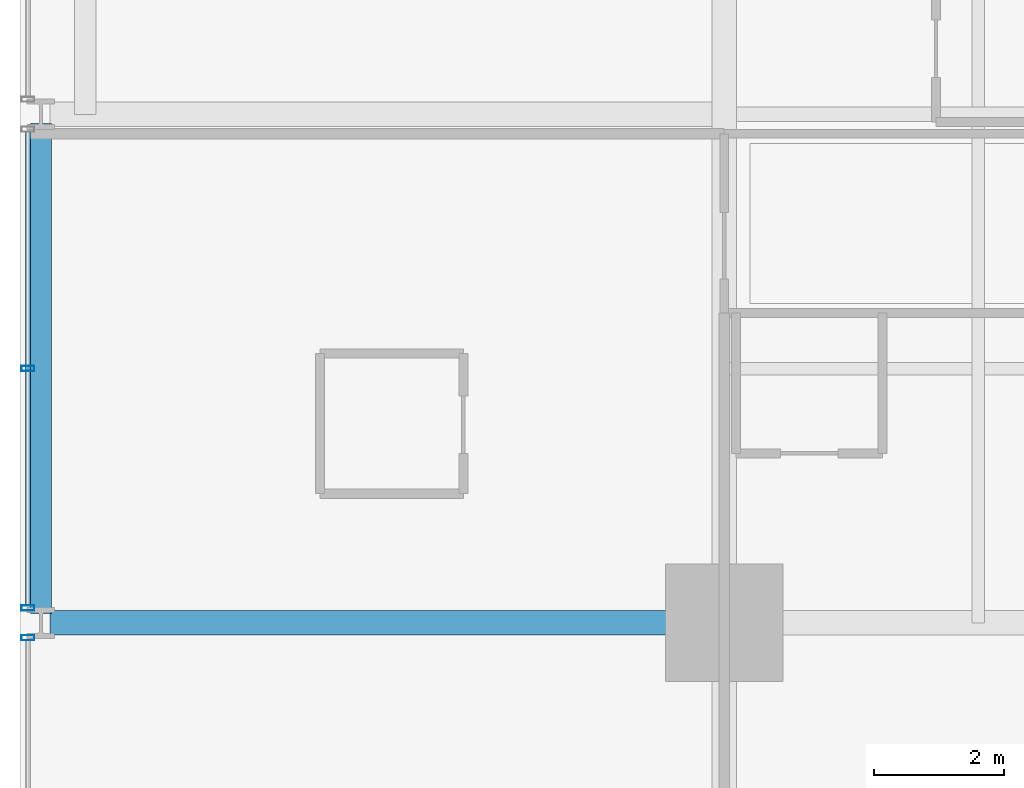
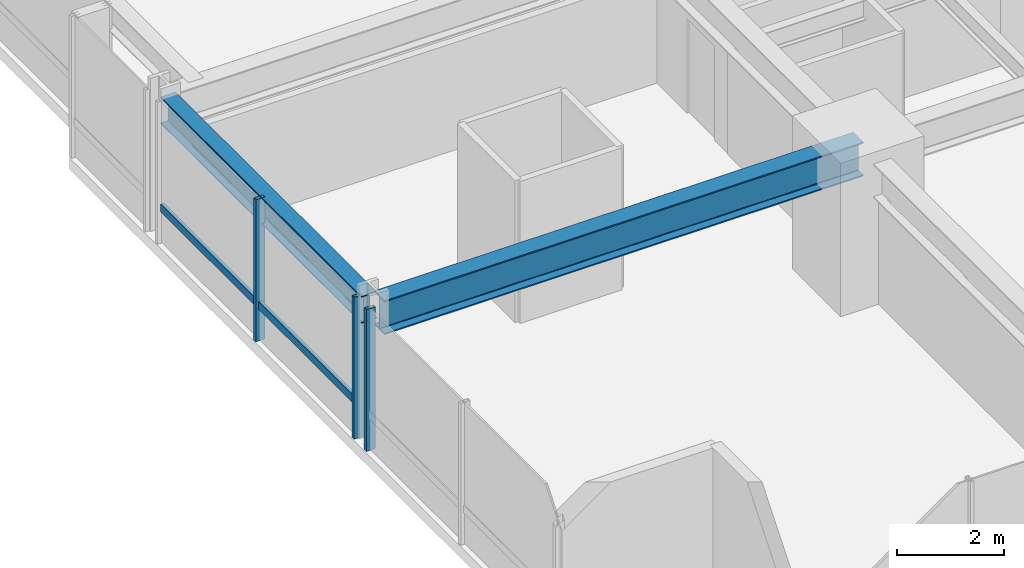
# One storey, part 4 of 38: 4 members, 2 beams, 2 elements without a shape of their own.
"""IFC4 building model written with IfcOpenShell, lengths in metres."""

from ifc_helpers import new_model, si_unit, direction, frame, origin, origin_2d, place, context, subcontext, project, spatial, hollow_rectangle, i_section, extrude, material, layer, layer_set, material_profile, profile_set, type_object, element, aggregate, save


model = new_model("IFC4")

# Units and contexts
model_context = context("Model", 3, precision=1e-05, world=origin(), true_north=direction((0.0, 1.0)))
body_context = subcontext(model_context, "Body", "Model", "MODEL_VIEW")
ifc_project = project(units=[si_unit("LENGTHUNIT", "METRE"), si_unit("AREAUNIT", "SQUARE_METRE"), si_unit("VOLUMEUNIT", "CUBIC_METRE"), si_unit("PLANEANGLEUNIT", "RADIAN"), si_unit("MASSUNIT", "GRAM", prefix="KILO")], contexts=[model_context])

# Site, building, storey
site_placement = place(None, origin())
site = spatial("IfcSite", under=ifc_project, at=site_placement, CompositionType="ELEMENT")
building_placement = place(site_placement, origin())
building = spatial("IfcBuilding", under=site, at=building_placement, Name="Drelvath Grand Hotel", CompositionType="ELEMENT")
storey_placement = place(building_placement, frame((0.0, 0.0, 71.699951171875)))
storey = spatial("IfcBuildingStorey", under=building, at=storey_placement, Name="L17", CompositionType="ELEMENT", Elevation=71.699951171875)

# Curtain wall, member
ifc_material_1 = material(Name="Warm Bronze Anodised Aluminium Frame", Category="aluminium")
ifc_layer = layer(ifc_material_1, 0.199951171875)
ifc_layer_set = layer_set([ifc_layer], Name="Warm Bronze Anodised Aluminium Frame")
curtain_wall_type = type_object("IfcCurtainWallType", Name="Stick Curtain Wall CW-02 Warm Bronze Low-Rise", PredefinedType="NOTDEFINED", material=ifc_layer_set)
curtain_wall_1_placement = place(storey_placement, origin())
curtain_wall_1 = element("IfcCurtainWall", 1, at=curtain_wall_1_placement, inside=storey, type_object=curtain_wall_type, Name="L17 CW-02 Curtain Wall CW02-L17-WS2", PredefinedType="NOTDEFINED")
ifc_material_profile_1 = material_profile(ifc_material_1, hollow_rectangle(XDim=0.074951171875, YDim=0.179931640625, WallThickness=0.0048828125, at=origin_2d()), Name="HSS180X75X5")
ifc_profile_set_1 = profile_set([ifc_material_profile_1], Name="Warm Bronze Anodised Aluminium Frame")
member_type_1 = type_object("IfcMemberType", Name="Curtain Wall Horizontal Transom CW-02 HSS180X75X5", PredefinedType="USERDEFINED", material=ifc_profile_set_1)
member_1_placement = place(storey_placement, frame((-26.8798828125, 11.069091796875, 0.81005859375), z_axis=(0.0, 1.0, 0.0), x_axis=(-1.0, 0.0, 0.0)))
member_1 = element("IfcMember", 2, at=member_1_placement, type_object=member_type_1, Name="CW02-L17-WS2 Sill Transom", ObjectType="TRANSOM", PredefinedType="USERDEFINED", context=body_context, shape_type="SweptSolid", body=[
    extrude(hollow_rectangle(XDim=0.074951171875, YDim=0.179931640625, WallThickness=0.0048828125, at=origin_2d()), origin(), (0.0, 0.0, 1.0), 7.26171875),
])

curtain_wall_2_placement = place(storey_placement, origin())
curtain_wall_2 = element("IfcCurtainWall", 3, at=curtain_wall_2_placement, inside=storey, type_object=curtain_wall_type, Name="L17 CW-02 Curtain Wall CW02-L17-WS1", PredefinedType="NOTDEFINED")
ifc_material_profile_2 = material_profile(ifc_material_1, hollow_rectangle(XDim=0.080078125, YDim=0.199951171875, WallThickness=0.0048828125, at=origin_2d()), Name="HSS200X80X5")
ifc_profile_set_2 = profile_set([ifc_material_profile_2], Name="Warm Bronze Anodised Aluminium Frame")
member_type_2 = type_object("IfcMemberType", Name="Curtain Wall Vertical Mullion CW-02 HSS200X80X5", PredefinedType="MULLION", material=ifc_profile_set_2)
member_2_placement = place(storey_placement, frame((-26.8798828125, 10.57080078125, 0.0), z_axis=(0.0, 0.0, 1.0), x_axis=(0.0, 1.0, 0.0)))
member_2 = element("IfcMember", 4, at=member_2_placement, type_object=member_type_2, Name="CW02-L17-WS1 Mullion 3", PredefinedType="MULLION", context=body_context, shape_type="SweptSolid", body=[
    extrude(hollow_rectangle(XDim=0.080078125, YDim=0.199951171875, WallThickness=0.0048828125, at=origin_2d()), origin(), (0.0, 0.0, 1.0), 3.239990234375),
])
aggregate(curtain_wall_2, [member_2])

# Member
member_3_placement = place(storey_placement, frame((-26.8798828125, 11.029052734375, 0.0), z_axis=(0.0, 0.0, 1.0), x_axis=(0.0, 1.0, 0.0)))
member_3 = element("IfcMember", 5, at=member_3_placement, type_object=member_type_2, Name="CW02-L17-WS2 Mullion 1", PredefinedType="MULLION", context=body_context, shape_type="SweptSolid", body=[
    extrude(hollow_rectangle(XDim=0.080078125, YDim=0.199951171875, WallThickness=0.0048828125, at=origin_2d()), origin(), (0.0, 0.0, 1.0), 3.239990234375),
])

member_4_placement = place(storey_placement, frame((-26.8798828125, 14.699951171875, 0.0), z_axis=(0.0, 0.0, 1.0), x_axis=(0.0, 1.0, 0.0)))
member_4 = element("IfcMember", 6, at=member_4_placement, type_object=member_type_2, Name="CW02-L17-WS2 Mullion 2", PredefinedType="MULLION", context=body_context, shape_type="SweptSolid", body=[
    extrude(hollow_rectangle(XDim=0.080078125, YDim=0.199951171875, WallThickness=0.0048828125, at=origin_2d()), origin(), (0.0, 0.0, 1.0), 3.239990234375),
])

aggregate(curtain_wall_1, [member_3, member_4, member_1])

# Beams
ifc_material_2 = material(Name="Steel ASTM A992 Gr 50", Category="steel")
ifc_material_profile_3 = material_profile(ifc_material_2, i_section(OverallWidth=0.323974609375, OverallDepth=0.611083984375, WebThickness=0.0126953125, FlangeThickness=0.01904296875, FilletRadius=0.02197265625, at=origin_2d()), Name="W24X104")
ifc_profile_set_3 = profile_set([ifc_material_profile_3], Name="Steel ASTM A992 Gr 50")
beam_type_1 = type_object("IfcBeamType", Name="Perimeter Spandrel Beam W24X104", PredefinedType="SPANDREL", material=ifc_profile_set_3)
beam_1_placement = place(storey_placement, frame((-26.679931640625, 10.93994140625, 2.9345703125), z_axis=(0.0, 1.0, 0.0), x_axis=(-1.0, 0.0, 0.0)))
element("IfcBeam", 7, at=beam_1_placement, inside=storey, type_object=beam_type_1, Name="L17 Spandrel West S", PredefinedType="SPANDREL", context=body_context, shape_type="SweptSolid", body=[
    extrude(i_section(OverallWidth=0.323974609375, OverallDepth=0.611083984375, WebThickness=0.0126953125, FlangeThickness=0.01904296875, FilletRadius=0.02197265625, at=origin_2d()), origin(), (0.0, 0.0, 1.0), 7.52001953125),
])
ifc_material_profile_4 = material_profile(ifc_material_2, i_section(OverallWidth=0.380615234375, OverallDepth=0.773193359375, WebThickness=0.0166015625, FlangeThickness=0.027099609375, FilletRadius=0.02490234375, at=origin_2d()), Name="W30X173")
ifc_profile_set_4 = profile_set([ifc_material_profile_4], Name="Steel ASTM A992 Gr 50")
beam_type_2 = type_object("IfcBeamType", Name="Primary Floor Girder W30X173", PredefinedType="BEAM", material=ifc_profile_set_4)
beam_2_placement = place(storey_placement, frame((-26.5400390625, 10.800048828125, 2.853515625), z_axis=(1.0, 0.0, 0.0), x_axis=(0.0, 1.0, 0.0)))
element("IfcBeam", 8, at=beam_2_placement, inside=storey, type_object=beam_type_2, Name="L17 West Grid Girder C", PredefinedType="BEAM", context=body_context, shape_type="SweptSolid", body=[
    extrude(i_section(OverallWidth=0.380615234375, OverallDepth=0.773193359375, WebThickness=0.0166015625, FlangeThickness=0.027099609375, FilletRadius=0.02490234375, at=origin_2d()), origin(), (0.0, 0.0, 1.0), 10.340087890625),
])

save(model, "model.ifc")
